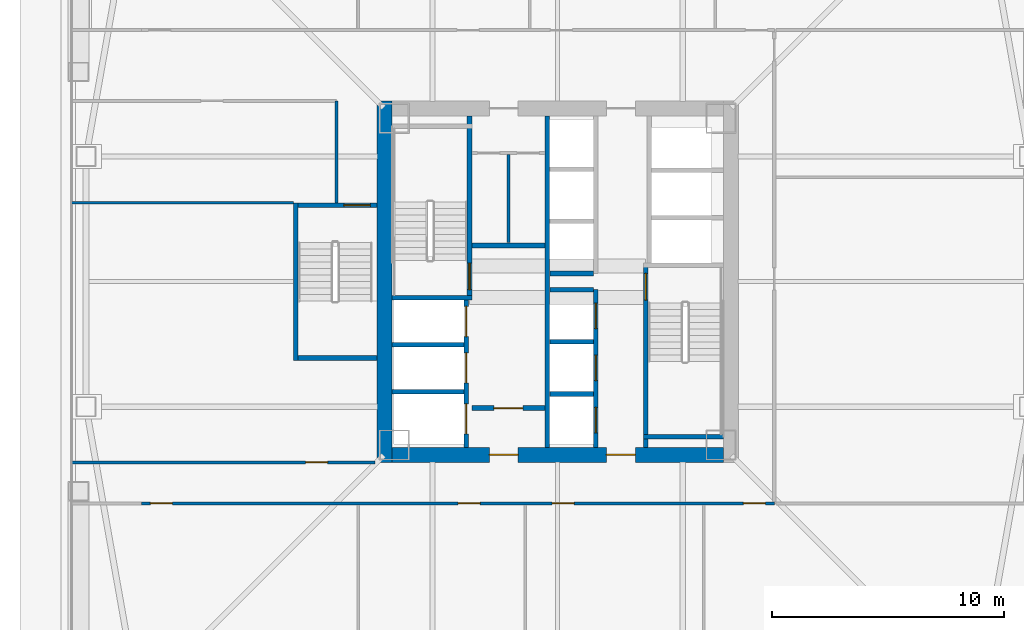
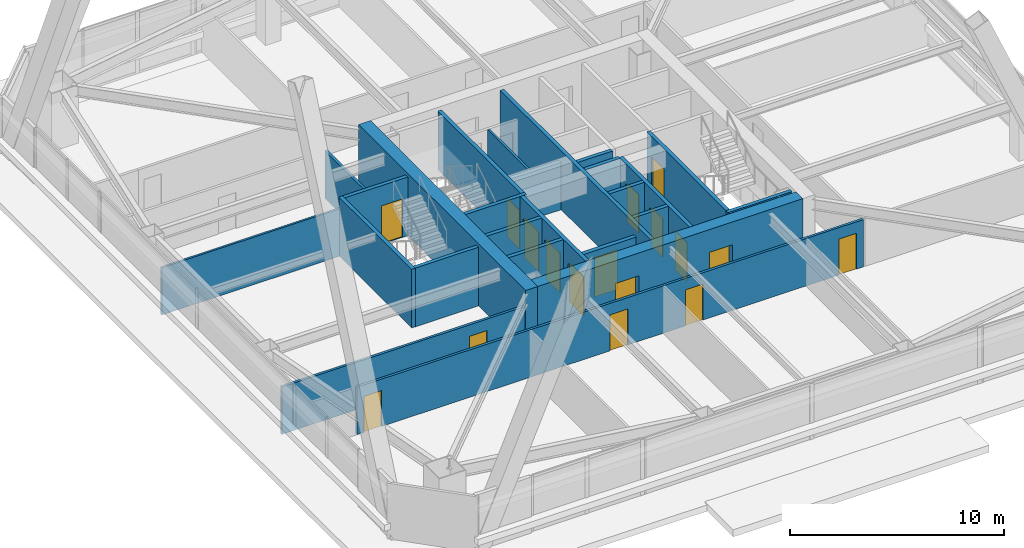
# One storey, part 56 of 67: 25 walls, 17 doors, 17 openings.
"""IFC4 building model written with IfcOpenShell, lengths in metres."""

from ifc_helpers import new_model, si_unit, direction, frame, frame_2d, origin, place, context, subcontext, project, spatial, rectangle, extrude, material, layer, layer_set, type_object, element, fill, save


model = new_model("IFC4")

# Units and contexts
model_context = context("Model", 3, precision=1e-05, world=origin(), true_north=direction((0.0, 1.0)))
body_context = subcontext(model_context, "Body", "Model", "MODEL_VIEW")
ifc_project = project(units=[si_unit("LENGTHUNIT", "METRE"), si_unit("AREAUNIT", "SQUARE_METRE"), si_unit("VOLUMEUNIT", "CUBIC_METRE"), si_unit("PLANEANGLEUNIT", "RADIAN"), si_unit("MASSUNIT", "GRAM", prefix="KILO")], contexts=[model_context])

# Site, building, storey
site_placement = place(None, origin())
site = spatial("IfcSite", under=ifc_project, at=site_placement, CompositionType="ELEMENT")
building_placement = place(site_placement, origin())
building = spatial("IfcBuilding", under=site, at=building_placement, Name="Tashvorn Skyway Center", CompositionType="ELEMENT")
storey_placement = place(building_placement, frame((0.0, 0.0, 67.199951171875)))
storey = spatial("IfcBuildingStorey", under=building, at=storey_placement, Name="L17", CompositionType="ELEMENT", Elevation=67.199951171875)

# Wall
ifc_material_1 = material(Name="Concrete C60/75", Category="concrete")
ifc_layer_1 = layer(ifc_material_1, 0.64990234375)
ifc_layer_set_1 = layer_set([ifc_layer_1], Name="Concrete C60/75")
wall_type_1 = type_object("IfcWallType", Name="WALL-CORE-650", PredefinedType="SHEAR", material=ifc_layer_set_1)
wall_1_placement = place(storey_placement, frame((34.52490234375, 24.199951171875, 0.0), z_axis=(0.0, 0.0, 1.0), x_axis=(0.0, 1.0, 0.0)))
element("IfcWall", 1, at=wall_1_placement, inside=storey, type_object=wall_type_1, Name="Tower 1 L17 West Core Shear Wall", PredefinedType="SHEAR", context=body_context, shape_type="SweptSolid", body=[
    extrude(rectangle(XDim=15.60009765625, YDim=0.64990234375, at=frame_2d((7.800048828125, 0.0))), origin(), (0.0, 0.0, 1.0), 3.550048828125),
])

# Wall, openings, doors
wall_2_placement = place(storey_placement, frame((49.14990234375, 24.52490234375, 0.0), z_axis=(0.0, 0.0, 1.0), x_axis=(-1.0, 0.0, 0.0)))
wall_2 = element("IfcWall", 2, at=wall_2_placement, inside=storey, type_object=wall_type_1, Name="Tower 1 L17 South Core Shear Wall", PredefinedType="SHEAR", context=body_context, shape_type="SweptSolid", body=[
    extrude(rectangle(XDim=14.2998046875, YDim=0.64990234375, at=frame_2d((7.14990234375, 0.0))), origin(), (0.0, 0.0, 1.0), 3.550048828125),
])
opening_1_placement = place(wall_2_placement, frame((8.85009765625, 0.0, 0.0)))
opening_1 = element("IfcOpeningElement", 3, at=opening_1_placement, cuts=wall_2, Name="Opening D-FFL-1250", PredefinedType="OPENING", context=body_context, shape_type="SweptSolid", body=[
    extrude(rectangle(XDim=1.25, YDim=2.25, at=frame_2d((0.625, 1.125))), frame((0.0, 0.3349609375, 0.0), z_axis=(0.0, -1.0, 0.0), x_axis=(1.0, 0.0, 0.0)), (0.0, 0.0, 1.0), 0.669921875),
])
opening_2_placement = place(wall_2_placement, frame((3.800048828125, 0.0, 0.0)))
opening_2 = element("IfcOpeningElement", 4, at=opening_2_placement, cuts=wall_2, Name="Opening D-FFL-1250", PredefinedType="OPENING", context=body_context, shape_type="SweptSolid", body=[
    extrude(rectangle(XDim=1.25, YDim=2.25, at=frame_2d((0.625, 1.125))), frame((0.0, 0.3349609375, 0.0), z_axis=(0.0, -1.0, 0.0), x_axis=(1.0, 0.0, 0.0)), (0.0, 0.0, 1.0), 0.669921875),
])
ifc_material_2 = material(Name="Hollow galvanized steel fire door assembly", Category="steel")
door_type_1 = type_object("IfcDoorType", Name="DOOR-FFL-1250", OperationType="NOTDEFINED", PredefinedType="DOOR", material=ifc_material_2)
door_1_placement = place(opening_1_placement, origin())
door_1 = element("IfcDoor", 5, at=door_1_placement, inside=storey, type_object=door_type_1, Name="Tower 1 L17 Core South Firefighting Exit Door", OperationType="SINGLE_SWING_LEFT", OverallHeight=2.25, OverallWidth=1.25, PredefinedType="DOOR", context=body_context, shape_type="SweptSolid", body=[
    extrude(rectangle(XDim=1.25, YDim=2.25, at=frame_2d((0.625, 1.125))), frame((0.0, 0.02490234375, 0.0), z_axis=(0.0, -1.0, 0.0), x_axis=(1.0, 0.0, 0.0)), (0.0, 0.0, 1.0), 0.050048828125),
])
fill(opening_1, door_1)
door_2_placement = place(opening_2_placement, origin())
door_2 = element("IfcDoor", 6, at=door_2_placement, inside=storey, type_object=door_type_1, Name="Tower 1 L17 Core South Lift Lobby Door", OperationType="SINGLE_SWING_RIGHT", OverallHeight=2.25, OverallWidth=1.25, PredefinedType="DOOR", context=body_context, shape_type="SweptSolid", body=[
    extrude(rectangle(XDim=1.25, YDim=2.25, at=frame_2d((0.625, 1.125))), frame((0.0, 0.02490234375, 0.0), z_axis=(0.0, -1.0, 0.0), x_axis=(1.0, 0.0, 0.0)), (0.0, 0.0, 1.0), 0.050048828125),
])
fill(opening_2, door_2)

# Wall
ifc_material_3 = material(Name="Concrete C40/50", Category="concrete")
ifc_layer_2 = layer(ifc_material_3, 0.219970703125)
ifc_layer_set_2 = layer_set([ifc_layer_2], Name="Concrete C40/50")
wall_type_2 = type_object("IfcWallType", Name="WALL-FFL-220", PredefinedType="SOLIDWALL", material=ifc_layer_set_2)
wall_3_placement = place(storey_placement, frame((38.300048828125, 33.56005859375, 0.0), z_axis=(0.0, 0.0, 1.0), x_axis=(1.0, 0.0, 0.0)))
element("IfcWall", 7, at=wall_3_placement, inside=storey, type_object=wall_type_2, Name="Tower 1 L17 Firefighting Lobby North Wall", PredefinedType="SOLIDWALL", context=body_context, shape_type="SweptSolid", body=[
    extrude(rectangle(XDim=3.14990234375, YDim=0.219970703125, at=frame_2d((1.574951171875, 0.0))), origin(), (0.0, 0.0, 1.0), 2.703125),
])

# Wall, opening, door
wall_4_placement = place(storey_placement, frame((38.300048828125, 26.5400390625, 0.0), z_axis=(0.0, 0.0, 1.0), x_axis=(1.0, 0.0, 0.0)))
wall_4 = element("IfcWall", 8, at=wall_4_placement, inside=storey, type_object=wall_type_2, Name="Tower 1 L17 Firefighting Lobby South Wall", PredefinedType="SOLIDWALL", context=body_context, shape_type="SweptSolid", body=[
    extrude(rectangle(XDim=3.14990234375, YDim=0.219970703125, at=frame_2d((1.574951171875, 0.0))), origin(), (0.0, 0.0, 1.0), 2.703125),
])
opening_3_placement = place(wall_4_placement, frame((0.949951171875, 0.0, 0.0)))
opening_3 = element("IfcOpeningElement", 9, at=opening_3_placement, cuts=wall_4, Name="Opening D-FFL-1250", PredefinedType="OPENING", context=body_context, shape_type="SweptSolid", body=[
    extrude(rectangle(XDim=1.25, YDim=2.25, at=frame_2d((0.625, 1.125))), frame((0.0, 0.119873046875, 0.0), z_axis=(0.0, -1.0, 0.0), x_axis=(1.0, 0.0, 0.0)), (0.0, 0.0, 1.0), 0.239990234375),
])
door_3_placement = place(opening_3_placement, origin())
door_3 = element("IfcDoor", 10, at=door_3_placement, inside=storey, type_object=door_type_1, Name="Tower 1 L17 Firefighting Lobby Egress Door", OperationType="SINGLE_SWING_LEFT", OverallHeight=2.25, OverallWidth=1.25, PredefinedType="DOOR", context=body_context, shape_type="SweptSolid", body=[
    extrude(rectangle(XDim=1.25, YDim=2.25, at=frame_2d((0.625, 1.125))), frame((0.0, 0.02490234375, 0.0), z_axis=(0.0, -1.0, 0.0), x_axis=(1.0, 0.0, 0.0)), (0.0, 0.0, 1.0), 0.050048828125),
])
fill(opening_3, door_3)

# Walls
ifc_material_4 = material(Name="Gypsum board on cold-formed steel stud framing", Category="steel")
ifc_layer_3 = layer(ifc_material_4, 0.110107421875)
ifc_layer_set_3 = layer_set([ifc_layer_3], Name="Gypsum board on cold-formed steel stud framing")
wall_type_3 = type_object("IfcWallType", Name="WALL-PART-110", PredefinedType="PARTITIONING", material=ifc_layer_set_3)
wall_5_placement = place(storey_placement, frame((30.60009765625, 35.39990234375, 0.0), z_axis=(0.0, 0.0, 1.0), x_axis=(-1.0, 0.0, 0.0)))
element("IfcWall", 11, at=wall_5_placement, inside=storey, type_object=wall_type_3, Name="Tower 1 L17 West Suite Partition 1", PredefinedType="PARTITIONING", context=body_context, shape_type="SweptSolid", body=[
    extrude(rectangle(XDim=9.580078125, YDim=0.110107421875, at=frame_2d((4.7900390625, 0.0))), origin(), (0.0, 0.0, 1.0), 2.703125),
])
ifc_layer_4 = layer(ifc_material_4, 0.135009765625)
ifc_layer_set_4 = layer_set([ifc_layer_4], Name="Gypsum board on cold-formed steel stud framing")
wall_type_4 = type_object("IfcWallType", Name="WALL-PART-135", PredefinedType="PARTITIONING", material=ifc_layer_set_4)
wall_6_placement = place(storey_placement, frame((32.449951171875, 35.39990234375, 0.0), z_axis=(0.0, 0.0, 1.0), x_axis=(0.0, 1.0, 0.0)))
element("IfcWall", 12, at=wall_6_placement, inside=storey, type_object=wall_type_4, Name="Tower 1 L17 Stair 3 Access Corridor Wall", PredefinedType="PARTITIONING", context=body_context, shape_type="SweptSolid", body=[
    extrude(rectangle(XDim=4.400146484375, YDim=0.135009765625, at=frame_2d((2.2001953125, 0.0))), origin(), (0.0, 0.0, 1.0), 2.703125),
])

# Wall, openings, doors
wall_7_placement = place(storey_placement, frame((51.35009765625, 22.429931640625, 0.0), z_axis=(0.0, 0.0, 1.0), x_axis=(-1.0, 0.0, 0.0)))
wall_7 = element("IfcWall", 13, at=wall_7_placement, inside=storey, type_object=wall_type_4, Name="Tower 1 L17 South Suite Wall", PredefinedType="PARTITIONING", context=body_context, shape_type="SweptSolid", body=[
    extrude(rectangle(XDim=27.300048828125, YDim=0.135009765625, at=frame_2d((13.64990234375, 0.0))), origin(), (0.0, 0.0, 1.0), 2.703125),
])
opening_4_placement = place(wall_7_placement, frame((25.969970703125, 0.0, 0.0)))
opening_4 = element("IfcOpeningElement", 14, at=opening_4_placement, cuts=wall_7, Name="Opening D-INT-950", PredefinedType="OPENING", context=body_context, shape_type="SweptSolid", body=[
    extrude(rectangle(XDim=0.949951171875, YDim=2.050048828125, at=frame_2d((0.47509765625, 1.02490234375))), frame((0.0, 0.077392578125, 0.0), z_axis=(0.0, -1.0, 0.0), x_axis=(1.0, 0.0, 0.0)), (0.0, 0.0, 1.0), 0.155029296875),
])
opening_5_placement = place(wall_7_placement, frame((12.698486328125, 0.0, 0.0)))
opening_5 = element("IfcOpeningElement", 15, at=opening_5_placement, cuts=wall_7, Name="Opening D-INT-950", PredefinedType="OPENING", context=body_context, shape_type="SweptSolid", body=[
    extrude(rectangle(XDim=0.949951171875, YDim=2.050048828125, at=frame_2d((0.47509765625, 1.02490234375))), frame((0.0, 0.077392578125, 0.0), z_axis=(0.0, -1.0, 0.0), x_axis=(1.0, 0.0, 0.0)), (0.0, 0.0, 1.0), 0.155029296875),
])
opening_6_placement = place(wall_7_placement, frame((8.638671875, 0.0, 0.0)))
opening_6 = element("IfcOpeningElement", 16, at=opening_6_placement, cuts=wall_7, Name="Opening D-INT-950", PredefinedType="OPENING", context=body_context, shape_type="SweptSolid", body=[
    extrude(rectangle(XDim=0.949951171875, YDim=2.050048828125, at=frame_2d((0.47509765625, 1.02490234375))), frame((0.0, 0.077392578125, 0.0), z_axis=(0.0, -1.0, 0.0), x_axis=(1.0, 0.0, 0.0)), (0.0, 0.0, 1.0), 0.155029296875),
])
opening_7_placement = place(wall_7_placement, frame((0.3798828125, 0.0, 0.0)))
opening_7 = element("IfcOpeningElement", 17, at=opening_7_placement, cuts=wall_7, Name="Opening D-INT-950", PredefinedType="OPENING", context=body_context, shape_type="SweptSolid", body=[
    extrude(rectangle(XDim=0.949951171875, YDim=2.050048828125, at=frame_2d((0.47509765625, 1.02490234375))), frame((0.0, 0.077392578125, 0.0), z_axis=(0.0, -1.0, 0.0), x_axis=(1.0, 0.0, 0.0)), (0.0, 0.0, 1.0), 0.155029296875),
])
ifc_material_5 = material(Name="Solid-core architectural oak veneer door")
door_type_2 = type_object("IfcDoorType", Name="DOOR-INT-950", OperationType="NOTDEFINED", PredefinedType="DOOR", material=ifc_material_5)
door_4_placement = place(opening_4_placement, origin())
door_4 = element("IfcDoor", 18, at=door_4_placement, inside=storey, type_object=door_type_2, Name="Tower 1 L17 Conference Room Door", OperationType="SINGLE_SWING_RIGHT", OverallHeight=2.050048828125, OverallWidth=0.949951171875, PredefinedType="DOOR", context=body_context, shape_type="SweptSolid", body=[
    extrude(rectangle(XDim=0.949951171875, YDim=2.050048828125, at=frame_2d((0.47509765625, 1.02490234375))), frame((0.0, 0.02490234375, 0.0), z_axis=(0.0, -1.0, 0.0), x_axis=(1.0, 0.0, 0.0)), (0.0, 0.0, 1.0), 0.050048828125),
])
fill(opening_4, door_4)
door_5_placement = place(opening_5_placement, origin())
door_5 = element("IfcDoor", 19, at=door_5_placement, inside=storey, type_object=door_type_2, Name="Tower 1 L17 Boardroom Door", OperationType="SINGLE_SWING_LEFT", OverallHeight=2.050048828125, OverallWidth=0.949951171875, PredefinedType="DOOR", context=body_context, shape_type="SweptSolid", body=[
    extrude(rectangle(XDim=0.949951171875, YDim=2.050048828125, at=frame_2d((0.47509765625, 1.02490234375))), frame((0.0, 0.02490234375, 0.0), z_axis=(0.0, -1.0, 0.0), x_axis=(1.0, 0.0, 0.0)), (0.0, 0.0, 1.0), 0.050048828125),
])
fill(opening_5, door_5)
door_6_placement = place(opening_6_placement, origin())
door_6 = element("IfcDoor", 20, at=door_6_placement, inside=storey, type_object=door_type_2, Name="Tower 1 L17 Boardroom Door", OperationType="SINGLE_SWING_RIGHT", OverallHeight=2.050048828125, OverallWidth=0.949951171875, PredefinedType="DOOR", context=body_context, shape_type="SweptSolid", body=[
    extrude(rectangle(XDim=0.949951171875, YDim=2.050048828125, at=frame_2d((0.47509765625, 1.02490234375))), frame((0.0, 0.02490234375, 0.0), z_axis=(0.0, -1.0, 0.0), x_axis=(1.0, 0.0, 0.0)), (0.0, 0.0, 1.0), 0.050048828125),
])
fill(opening_6, door_6)
door_7_placement = place(opening_7_placement, origin())
door_7 = element("IfcDoor", 21, at=door_7_placement, inside=storey, type_object=door_type_2, Name="Tower 1 L17 Catering Pantry Door", OperationType="SINGLE_SWING_LEFT", OverallHeight=2.050048828125, OverallWidth=0.949951171875, PredefinedType="DOOR", context=body_context, shape_type="SweptSolid", body=[
    extrude(rectangle(XDim=0.949951171875, YDim=2.050048828125, at=frame_2d((0.47509765625, 1.02490234375))), frame((0.0, 0.02490234375, 0.0), z_axis=(0.0, -1.0, 0.0), x_axis=(1.0, 0.0, 0.0)), (0.0, 0.0, 1.0), 0.050048828125),
])
fill(opening_7, door_7)

# Wall, opening, door
wall_8_placement = place(storey_placement, frame((21.02001953125, 24.199951171875, 0.0), z_axis=(0.0, 0.0, 1.0), x_axis=(1.0, 0.0, 0.0)))
wall_8 = element("IfcWall", 22, at=wall_8_placement, inside=storey, type_object=wall_type_4, Name="Tower 1 L17 West Suite South Wall", PredefinedType="PARTITIONING", context=body_context, shape_type="SweptSolid", body=[
    extrude(rectangle(XDim=13.10009765625, YDim=0.135009765625, at=frame_2d((6.550048828125, 0.0))), origin(), (0.0, 0.0, 1.0), 2.703125),
])
opening_8_placement = place(wall_8_placement, frame((10.10498046875, 0.0, 0.0)))
opening_8 = element("IfcOpeningElement", 23, at=opening_8_placement, cuts=wall_8, Name="Opening D-INT-950", PredefinedType="OPENING", context=body_context, shape_type="SweptSolid", body=[
    extrude(rectangle(XDim=0.949951171875, YDim=2.050048828125, at=frame_2d((0.47509765625, 1.02490234375))), frame((0.0, 0.077392578125, 0.0), z_axis=(0.0, -1.0, 0.0), x_axis=(1.0, 0.0, 0.0)), (0.0, 0.0, 1.0), 0.155029296875),
])
door_8_placement = place(opening_8_placement, origin())
door_8 = element("IfcDoor", 24, at=door_8_placement, inside=storey, type_object=door_type_2, Name="Tower 1 L17 Public Restroom Door", OperationType="SINGLE_SWING_LEFT", OverallHeight=2.050048828125, OverallWidth=0.949951171875, PredefinedType="DOOR", context=body_context, shape_type="SweptSolid", body=[
    extrude(rectangle(XDim=0.949951171875, YDim=2.050048828125, at=frame_2d((0.47509765625, 1.02490234375))), frame((0.0, 0.02490234375, 0.0), z_axis=(0.0, -1.0, 0.0), x_axis=(1.0, 0.0, 0.0)), (0.0, 0.0, 1.0), 0.050048828125),
])
fill(opening_8, door_8)

# Walls
ifc_layer_5 = layer(ifc_material_4, 0.110107421875)
ifc_layer_set_5 = layer_set([ifc_layer_5], Name="Gypsum board on cold-formed steel stud framing")
wall_type_5 = type_object("IfcWallType", Name="WALL-RATED-110", PredefinedType="PARTITIONING", material=ifc_layer_set_5)
wall_9_placement = place(storey_placement, frame((39.8798828125, 33.679931640625, 0.0), z_axis=(0.0, 0.0, 1.0), x_axis=(0.0, 1.0, 0.0)))
element("IfcWall", 25, at=wall_9_placement, inside=storey, type_object=wall_type_5, Name="Tower 1 L17 Core Split Partition", PredefinedType="PARTITIONING", context=body_context, shape_type="SweptSolid", body=[
    extrude(rectangle(XDim=3.800048828125, YDim=0.110107421875, at=frame_2d((1.89990234375, 0.0))), origin(), (0.0, 0.0, 1.0), 2.703125),
])
ifc_layer_6 = layer(ifc_material_3, 0.199951171875)
ifc_layer_set_6 = layer_set([ifc_layer_6], Name="Concrete C40/50")
wall_type_6 = type_object("IfcWallType", Name="WALL-SHAFT-200", PredefinedType="SOLIDWALL", material=ifc_layer_set_6)
for number, where, z_axis, x_axis, name in (
    (26, (34.85009765625, 27.25, 0.0), (0.0, 0.0, 1.0), (1.0, 0.0, 0.0), "Tower 1 L17 FSAE Shaft Divider"),
    (27, (34.85009765625, 29.280029296875, 0.0), (0.0, 0.0, 1.0), (1.0, 0.0, 0.0), "Tower 1 L17 FSAE Shaft Divider"),
):
    element("IfcWall", number, at=place(storey_placement, frame(where, z_axis=z_axis, x_axis=x_axis)), inside=storey, type_object=wall_type_6, Name=name, PredefinedType="SOLIDWALL", context=body_context, shape_type="SweptSolid", body=[
        extrude(rectangle(XDim=3.099853515625, YDim=0.199951171875, at=frame_2d((1.5498046875, 0.0))), origin(), (0.0, 0.0, 1.0), 3.35009765625),
    ])

# Wall, openings, doors
wall_10_placement = place(storey_placement, frame((43.64990234375, 24.85009765625, 0.0), z_axis=(0.0, 0.0, 1.0), x_axis=(0.0, 1.0, 0.0)))
wall_10 = element("IfcWall", 28, at=wall_10_placement, inside=storey, type_object=wall_type_6, Name="Tower 1 L17 Low-Rise Core Wall", PredefinedType="SOLIDWALL", context=body_context, shape_type="SweptSolid", body=[
    extrude(rectangle(XDim=6.7998046875, YDim=0.199951171875, at=frame_2d((3.39990234375, 0.0))), origin(), (0.0, 0.0, 1.0), 3.35009765625),
])
opening_9_placement = place(wall_10_placement, frame((0.625, 0.0, 0.0)))
opening_9 = element("IfcOpeningElement", 29, at=opening_9_placement, cuts=wall_10, Name="Opening LD-LR-T1-1-L17", PredefinedType="OPENING", context=body_context, shape_type="SweptSolid", body=[
    extrude(rectangle(XDim=1.10009765625, YDim=2.199951171875, at=frame_2d((0.550048828125, 1.10009765625))), frame((0.0, 0.10986328125, 0.0), z_axis=(0.0, -1.0, 0.0), x_axis=(1.0, 0.0, 0.0)), (0.0, 0.0, 1.0), 0.219970703125),
])
opening_10_placement = place(wall_10_placement, frame((2.875, 0.0, 0.0)))
opening_10 = element("IfcOpeningElement", 30, at=opening_10_placement, cuts=wall_10, Name="Opening LD-LR-T1-2-L17", PredefinedType="OPENING", context=body_context, shape_type="SweptSolid", body=[
    extrude(rectangle(XDim=1.10009765625, YDim=2.199951171875, at=frame_2d((0.550048828125, 1.10009765625))), frame((0.0, 0.10986328125, 0.0), z_axis=(0.0, -1.0, 0.0), x_axis=(1.0, 0.0, 0.0)), (0.0, 0.0, 1.0), 0.219970703125),
])
opening_11_placement = place(wall_10_placement, frame((5.125, 0.0, 0.0)))
opening_11 = element("IfcOpeningElement", 31, at=opening_11_placement, cuts=wall_10, Name="Opening LD-LR-T1-3-L17", PredefinedType="OPENING", context=body_context, shape_type="SweptSolid", body=[
    extrude(rectangle(XDim=1.10009765625, YDim=2.199951171875, at=frame_2d((0.550048828125, 1.10009765625))), frame((0.0, 0.10986328125, 0.0), z_axis=(0.0, -1.0, 0.0), x_axis=(1.0, 0.0, 0.0)), (0.0, 0.0, 1.0), 0.219970703125),
])
ifc_material_6 = material(Name="Stainless steel landing door", Category="steel")
door_type_3 = type_object("IfcDoorType", Name="DOOR-LIFT-1100", OperationType="SLIDING_TO_LEFT", PredefinedType="DOOR", material=ifc_material_6)
door_9_placement = place(opening_9_placement, origin())
door_9 = element("IfcDoor", 32, at=door_9_placement, inside=storey, type_object=door_type_3, Name="Lift LR-T1-1 L17 Landing Door", OperationType="SLIDING_TO_LEFT", OverallHeight=2.199951171875, OverallWidth=1.10009765625, PredefinedType="DOOR", context=body_context, shape_type="SweptSolid", body=[
    extrude(rectangle(XDim=1.10009765625, YDim=2.199951171875, at=frame_2d((0.550048828125, 1.10009765625))), frame((0.0, 0.02490234375, 0.0), z_axis=(0.0, -1.0, 0.0), x_axis=(1.0, 0.0, 0.0)), (0.0, 0.0, 1.0), 0.050048828125),
])
fill(opening_9, door_9)
door_10_placement = place(opening_10_placement, origin())
door_10 = element("IfcDoor", 33, at=door_10_placement, inside=storey, type_object=door_type_3, Name="Lift LR-T1-2 L17 Landing Door", OperationType="SLIDING_TO_LEFT", OverallHeight=2.199951171875, OverallWidth=1.10009765625, PredefinedType="DOOR", context=body_context, shape_type="SweptSolid", body=[
    extrude(rectangle(XDim=1.10009765625, YDim=2.199951171875, at=frame_2d((0.550048828125, 1.10009765625))), frame((0.0, 0.02490234375, 0.0), z_axis=(0.0, -1.0, 0.0), x_axis=(1.0, 0.0, 0.0)), (0.0, 0.0, 1.0), 0.050048828125),
])
fill(opening_10, door_10)
door_11_placement = place(opening_11_placement, origin())
door_11 = element("IfcDoor", 34, at=door_11_placement, inside=storey, type_object=door_type_3, Name="Lift LR-T1-3 L17 Landing Door", OperationType="SLIDING_TO_LEFT", OverallHeight=2.199951171875, OverallWidth=1.10009765625, PredefinedType="DOOR", context=body_context, shape_type="SweptSolid", body=[
    extrude(rectangle(XDim=1.10009765625, YDim=2.199951171875, at=frame_2d((0.550048828125, 1.10009765625))), frame((0.0, 0.02490234375, 0.0), z_axis=(0.0, -1.0, 0.0), x_axis=(1.0, 0.0, 0.0)), (0.0, 0.0, 1.0), 0.050048828125),
])
fill(opening_11, door_11)

# Walls
for number, where, z_axis, x_axis, name in (
    (35, (41.669921875, 27.14990234375, 0.0), (0.0, 0.0, 1.0), (1.0, 0.0, 0.0), "Tower 1 L17 Low-Rise Shaft Divider"),
    (36, (41.669921875, 29.39990234375, 0.0), (0.0, 0.0, 1.0), (1.0, 0.0, 0.0), "Tower 1 L17 Low-Rise Shaft Divider"),
    (37, (41.669921875, 31.64990234375, 0.0), (0.0, 0.0, 1.0), (1.0, 0.0, 0.0), "Tower 1 L17 Low-Rise Shaft Divider"),
    (38, (41.669921875, 32.35009765625, 0.0), (0.0, 0.0, 1.0), (1.0, 0.0, 0.0), "Tower 1 L17 Mid-Rise Shaft Divider"),
):
    element("IfcWall", number, at=place(storey_placement, frame(where, z_axis=z_axis, x_axis=x_axis)), inside=storey, type_object=wall_type_6, Name=name, PredefinedType="SOLIDWALL", context=body_context, shape_type="SweptSolid", body=[
        extrude(rectangle(XDim=1.880126953125, YDim=0.199951171875, at=frame_2d((0.93994140625, 0.0))), origin(), (0.0, 0.0, 1.0), 3.35009765625),
    ])

# Wall, opening, door
ifc_layer_7 = layer(ifc_material_3, 0.199951171875)
ifc_layer_set_7 = layer_set([ifc_layer_7], Name="Concrete C40/50")
wall_type_7 = type_object("IfcWallType", Name="WALL-STSHF-200", PredefinedType="SHEAR", material=ifc_layer_set_7)
wall_11_placement = place(storey_placement, frame((38.199951171875, 31.199951171875, 0.0), z_axis=(0.0, 0.0, 1.0), x_axis=(0.0, 1.0, 0.0)))
wall_11 = element("IfcWall", 39, at=wall_11_placement, inside=storey, type_object=wall_type_7, Name="Tower 1 L17 Stair 1 Enclosure Wall", PredefinedType="SHEAR", context=body_context, shape_type="SweptSolid", body=[
    extrude(rectangle(XDim=7.949951171875, YDim=0.199951171875, at=frame_2d((3.97509765625, 0.0))), origin(), (0.0, 0.0, 1.0), 3.35009765625),
])
opening_12_placement = place(wall_11_placement, frame((0.449951171875, 0.0, 0.0)))
opening_12 = element("IfcOpeningElement", 40, at=opening_12_placement, cuts=wall_11, Name="Opening D-ST-1150", PredefinedType="OPENING", context=body_context, shape_type="SweptSolid", body=[
    extrude(rectangle(XDim=1.14990234375, YDim=2.199951171875, at=frame_2d((0.574951171875, 1.10009765625))), frame((0.0, 0.10986328125, 0.0), z_axis=(0.0, -1.0, 0.0), x_axis=(1.0, 0.0, 0.0)), (0.0, 0.0, 1.0), 0.219970703125),
])
door_type_4 = type_object("IfcDoorType", Name="DOOR-STAIR-1150", OperationType="NOTDEFINED", PredefinedType="DOOR", material=ifc_material_2)
door_12_placement = place(opening_12_placement, origin())
door_12 = element("IfcDoor", 41, at=door_12_placement, inside=storey, type_object=door_type_4, Name="Tower 1 L17 Exit Stair 1 Door", OperationType="SINGLE_SWING_RIGHT", OverallHeight=2.199951171875, OverallWidth=1.14990234375, PredefinedType="DOOR", context=body_context, shape_type="SweptSolid", body=[
    extrude(rectangle(XDim=1.14990234375, YDim=2.199951171875, at=frame_2d((0.574951171875, 1.10009765625))), frame((0.0, 0.02490234375, 0.0), z_axis=(0.0, -1.0, 0.0), x_axis=(1.0, 0.0, 0.0)), (0.0, 0.0, 1.0), 0.050048828125),
])
fill(opening_12, door_12)

# Wall
wall_12_placement = place(storey_placement, frame((34.85009765625, 31.300048828125, 0.0), z_axis=(0.0, 0.0, 1.0), x_axis=(1.0, 0.0, 0.0)))
element("IfcWall", 42, at=wall_12_placement, inside=storey, type_object=wall_type_7, Name="Tower 1 L17 Stair 1 South Wall", PredefinedType="SHEAR", context=body_context, shape_type="SweptSolid", body=[
    extrude(rectangle(XDim=3.449951171875, YDim=0.199951171875, at=frame_2d((1.72509765625, 0.0))), origin(), (0.0, 0.0, 1.0), 3.35009765625),
])

# Wall, opening, door
wall_13_placement = place(storey_placement, frame((45.800048828125, 32.800048828125, 0.0), z_axis=(0.0, 0.0, 1.0), x_axis=(0.0, -1.0, 0.0)))
wall_13 = element("IfcWall", 43, at=wall_13_placement, inside=storey, type_object=wall_type_7, Name="Tower 1 L17 Stair 2 Enclosure Wall", PredefinedType="SHEAR", context=body_context, shape_type="SweptSolid", body=[
    extrude(rectangle(XDim=7.949951171875, YDim=0.199951171875, at=frame_2d((3.97509765625, 0.0))), origin(), (0.0, 0.0, 1.0), 3.35009765625),
])
opening_13_placement = place(wall_13_placement, frame((0.449951171875, 0.0, 0.0)))
opening_13 = element("IfcOpeningElement", 44, at=opening_13_placement, cuts=wall_13, Name="Opening D-ST-1150", PredefinedType="OPENING", context=body_context, shape_type="SweptSolid", body=[
    extrude(rectangle(XDim=1.14990234375, YDim=2.199951171875, at=frame_2d((0.574951171875, 1.10009765625))), frame((0.0, 0.10986328125, 0.0), z_axis=(0.0, -1.0, 0.0), x_axis=(1.0, 0.0, 0.0)), (0.0, 0.0, 1.0), 0.219970703125),
])
door_13_placement = place(opening_13_placement, origin())
door_13 = element("IfcDoor", 45, at=door_13_placement, inside=storey, type_object=door_type_4, Name="Tower 1 L17 Exit Stair 2 Door", OperationType="SINGLE_SWING_RIGHT", OverallHeight=2.199951171875, OverallWidth=1.14990234375, PredefinedType="DOOR", context=body_context, shape_type="SweptSolid", body=[
    extrude(rectangle(XDim=1.14990234375, YDim=2.199951171875, at=frame_2d((0.574951171875, 1.10009765625))), frame((0.0, 0.02490234375, 0.0), z_axis=(0.0, -1.0, 0.0), x_axis=(1.0, 0.0, 0.0)), (0.0, 0.0, 1.0), 0.050048828125),
])
fill(opening_13, door_13)

# Walls
wall_14_placement = place(storey_placement, frame((45.699951171875, 25.300048828125, 0.0), z_axis=(0.0, 0.0, 1.0), x_axis=(1.0, 0.0, 0.0)))
element("IfcWall", 46, at=wall_14_placement, inside=storey, type_object=wall_type_7, Name="Tower 1 L17 Stair 2 South Wall", PredefinedType="SHEAR", context=body_context, shape_type="SweptSolid", body=[
    extrude(rectangle(XDim=3.449951171875, YDim=0.199951171875, at=frame_2d((1.72509765625, 0.0))), origin(), (0.0, 0.0, 1.0), 3.35009765625),
])
wall_15_placement = place(storey_placement, frame((41.56005859375, 24.85009765625, 0.0), z_axis=(0.0, 0.0, 1.0), x_axis=(0.0, 1.0, 0.0)))
element("IfcWall", 47, at=wall_15_placement, inside=storey, type_object=wall_type_7, Name="Tower 1 L17 Firefighting Lobby East Smoke Barrier", PredefinedType="SHEAR", context=body_context, shape_type="SweptSolid", body=[
    extrude(rectangle(XDim=14.2998046875, YDim=0.199951171875, at=frame_2d((7.14990234375, 0.0))), origin(), (0.0, 0.0, 1.0), 3.35009765625),
])

# Wall, openings, doors
wall_16_placement = place(storey_placement, frame((38.050048828125, 24.85009765625, 0.0), z_axis=(0.0, 0.0, 1.0), x_axis=(0.0, 1.0, 0.0)))
wall_16 = element("IfcWall", 48, at=wall_16_placement, inside=storey, type_object=wall_type_7, Name="Tower 1 L17 FSAE and Goods Shaft Front Wall", PredefinedType="SHEAR", context=body_context, shape_type="SweptSolid", body=[
    extrude(rectangle(XDim=6.349853515625, YDim=0.199951171875, at=frame_2d((3.1748046875, 0.0))), origin(), (0.0, 0.0, 1.0), 3.35009765625),
])
opening_14_placement = place(wall_16_placement, frame((4.77490234375, 0.0, 0.0)))
opening_14 = element("IfcOpeningElement", 49, at=opening_14_placement, cuts=wall_16, Name="Opening LD-FF-T1-1-L17", PredefinedType="OPENING", context=body_context, shape_type="SweptSolid", body=[
    extrude(rectangle(XDim=1.300048828125, YDim=2.25, at=frame_2d((0.64990234375, 1.125))), frame((0.0, 0.10986328125, 0.0), z_axis=(0.0, -1.0, 0.0), x_axis=(1.0, 0.0, 0.0)), (0.0, 0.0, 1.0), 0.219970703125),
])
opening_15_placement = place(wall_16_placement, frame((2.77490234375, 0.0, 0.0)))
opening_15 = element("IfcOpeningElement", 50, at=opening_15_placement, cuts=wall_16, Name="Opening LD-FF-T1-2-L17", PredefinedType="OPENING", context=body_context, shape_type="SweptSolid", body=[
    extrude(rectangle(XDim=1.300048828125, YDim=2.25, at=frame_2d((0.64990234375, 1.125))), frame((0.0, 0.10986328125, 0.0), z_axis=(0.0, -1.0, 0.0), x_axis=(1.0, 0.0, 0.0)), (0.0, 0.0, 1.0), 0.219970703125),
])
opening_16_placement = place(wall_16_placement, frame((0.574951171875, 0.0, 0.0)))
opening_16 = element("IfcOpeningElement", 51, at=opening_16_placement, cuts=wall_16, Name="Opening LD-GD-T1-1-L17", PredefinedType="OPENING", context=body_context, shape_type="SweptSolid", body=[
    extrude(rectangle(XDim=1.300048828125, YDim=2.25, at=frame_2d((0.64990234375, 1.125))), frame((0.0, 0.10986328125, 0.0), z_axis=(0.0, -1.0, 0.0), x_axis=(1.0, 0.0, 0.0)), (0.0, 0.0, 1.0), 0.219970703125),
])
ifc_material_7 = material(Name="Stainless steel heavy-duty landing door", Category="steel")
door_type_5 = type_object("IfcDoorType", Name="DOOR-LIFT-1300", OperationType="SLIDING_TO_LEFT", PredefinedType="DOOR", material=ifc_material_7)
door_14_placement = place(opening_14_placement, origin())
door_14 = element("IfcDoor", 52, at=door_14_placement, inside=storey, type_object=door_type_5, Name="Lift FF-T1-1 L17 Landing Door", OperationType="SLIDING_TO_LEFT", OverallHeight=2.25, OverallWidth=1.300048828125, PredefinedType="DOOR", context=body_context, shape_type="SweptSolid", body=[
    extrude(rectangle(XDim=1.300048828125, YDim=2.25, at=frame_2d((0.64990234375, 1.125))), frame((0.0, 0.02490234375, 0.0), z_axis=(0.0, -1.0, 0.0), x_axis=(1.0, 0.0, 0.0)), (0.0, 0.0, 1.0), 0.050048828125),
])
fill(opening_14, door_14)
door_15_placement = place(opening_15_placement, origin())
door_15 = element("IfcDoor", 53, at=door_15_placement, inside=storey, type_object=door_type_5, Name="Lift FF-T1-2 L17 Landing Door", OperationType="SLIDING_TO_LEFT", OverallHeight=2.25, OverallWidth=1.300048828125, PredefinedType="DOOR", context=body_context, shape_type="SweptSolid", body=[
    extrude(rectangle(XDim=1.300048828125, YDim=2.25, at=frame_2d((0.64990234375, 1.125))), frame((0.0, 0.02490234375, 0.0), z_axis=(0.0, -1.0, 0.0), x_axis=(1.0, 0.0, 0.0)), (0.0, 0.0, 1.0), 0.050048828125),
])
fill(opening_15, door_15)
door_16_placement = place(opening_16_placement, origin())
door_16 = element("IfcDoor", 54, at=door_16_placement, inside=storey, type_object=door_type_5, Name="Lift GD-T1-1 L17 Landing Door", OperationType="SLIDING_TO_LEFT", OverallHeight=2.25, OverallWidth=1.300048828125, PredefinedType="DOOR", context=body_context, shape_type="SweptSolid", body=[
    extrude(rectangle(XDim=1.300048828125, YDim=2.25, at=frame_2d((0.64990234375, 1.125))), frame((0.0, 0.02490234375, 0.0), z_axis=(0.0, -1.0, 0.0), x_axis=(1.0, 0.0, 0.0)), (0.0, 0.0, 1.0), 0.050048828125),
])
fill(opening_16, door_16)

# Wall
wall_17_placement = place(storey_placement, frame((30.699951171875, 28.60009765625, 0.0), z_axis=(0.0, 0.0, 1.0), x_axis=(0.0, 1.0, 0.0)))
element("IfcWall", 55, at=wall_17_placement, inside=storey, type_object=wall_type_7, Name="Tower 1 L17 Stair 3 Outer Wall", PredefinedType="SHEAR", context=body_context, shape_type="SweptSolid", body=[
    extrude(rectangle(XDim=6.7998046875, YDim=0.199951171875, at=frame_2d((3.39990234375, 0.0))), origin(), (0.0, 0.0, 1.0), 3.35009765625),
])

# Wall, opening, door
wall_18_placement = place(storey_placement, frame((34.199951171875, 35.300048828125, 0.0), z_axis=(0.0, 0.0, 1.0), x_axis=(-1.0, 0.0, 0.0)))
wall_18 = element("IfcWall", 56, at=wall_18_placement, inside=storey, type_object=wall_type_7, Name="Tower 1 L17 Stair 3 Enclosure Wall", PredefinedType="SHEAR", context=body_context, shape_type="SweptSolid", body=[
    extrude(rectangle(XDim=3.39990234375, YDim=0.199951171875, at=frame_2d((1.699951171875, 0.0))), origin(), (0.0, 0.0, 1.0), 3.35009765625),
])
opening_17_placement = place(wall_18_placement, frame((0.27490234375, 0.0, 0.0)))
opening_17 = element("IfcOpeningElement", 57, at=opening_17_placement, cuts=wall_18, Name="Opening D-ST-1150", PredefinedType="OPENING", context=body_context, shape_type="SweptSolid", body=[
    extrude(rectangle(XDim=1.14990234375, YDim=2.199951171875, at=frame_2d((0.574951171875, 1.10009765625))), frame((0.0, 0.10986328125, 0.0), z_axis=(0.0, -1.0, 0.0), x_axis=(1.0, 0.0, 0.0)), (0.0, 0.0, 1.0), 0.219970703125),
])
door_17_placement = place(opening_17_placement, origin())
door_17 = element("IfcDoor", 58, at=door_17_placement, inside=storey, type_object=door_type_4, Name="Tower 1 L17 Exit Stair 3 Door", OperationType="SINGLE_SWING_RIGHT", OverallHeight=2.199951171875, OverallWidth=1.14990234375, PredefinedType="DOOR", context=body_context, shape_type="SweptSolid", body=[
    extrude(rectangle(XDim=1.14990234375, YDim=2.199951171875, at=frame_2d((0.574951171875, 1.10009765625))), frame((0.0, 0.02490234375, 0.0), z_axis=(0.0, -1.0, 0.0), x_axis=(1.0, 0.0, 0.0)), (0.0, 0.0, 1.0), 0.050048828125),
])
fill(opening_17, door_17)

# Wall
wall_19_placement = place(storey_placement, frame((30.800048828125, 28.699951171875, 0.0), z_axis=(0.0, 0.0, 1.0), x_axis=(1.0, 0.0, 0.0)))
element("IfcWall", 59, at=wall_19_placement, inside=storey, type_object=wall_type_7, Name="Tower 1 L17 Stair 3 South Wall", PredefinedType="SHEAR", context=body_context, shape_type="SweptSolid", body=[
    extrude(rectangle(XDim=3.39990234375, YDim=0.199951171875, at=frame_2d((1.699951171875, 0.0))), origin(), (0.0, 0.0, 1.0), 3.35009765625),
])

save(model, "model.ifc")
